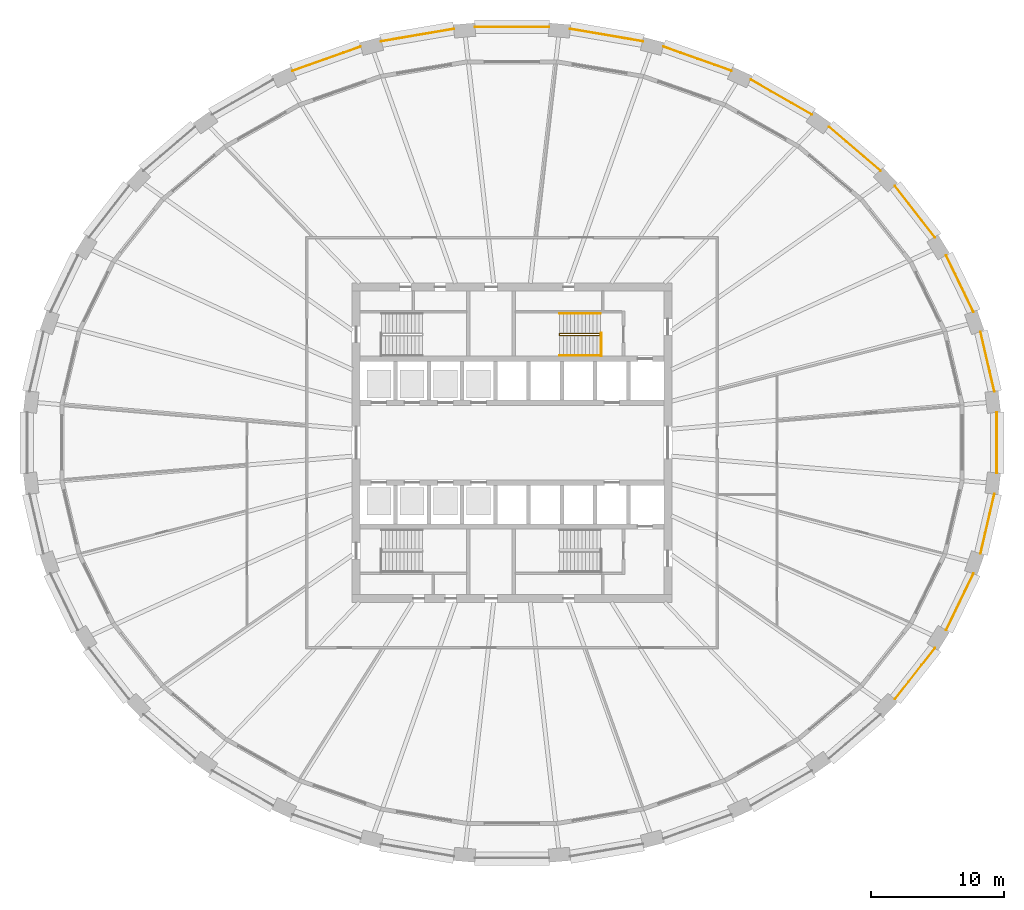
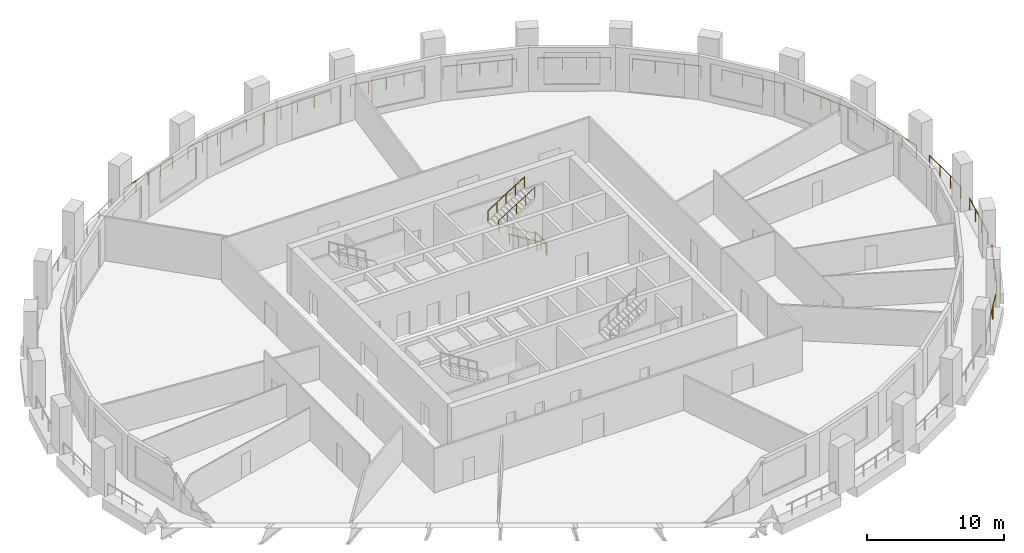
# One storey, part 10 of 11: 18 railings.
"""IFC4 building model written with IfcOpenShell, lengths in metres."""

from ifc_helpers import new_model, si_unit, direction, frame, origin, origin_2d, place, context, subcontext, project, spatial, circle, extrude, material, type_object, element, save


model = new_model("IFC4")

# Units and contexts
model_context = context("Model", 3, precision=1e-05, world=origin(), true_north=direction((0.0, 1.0)))
body_context = subcontext(model_context, "Body", "Model", "MODEL_VIEW")
ifc_project = project(units=[si_unit("LENGTHUNIT", "METRE"), si_unit("AREAUNIT", "SQUARE_METRE"), si_unit("VOLUMEUNIT", "CUBIC_METRE"), si_unit("PLANEANGLEUNIT", "RADIAN"), si_unit("MASSUNIT", "GRAM", prefix="KILO")], contexts=[model_context])

# Site, building, storey
site_placement = place(None, origin())
site = spatial("IfcSite", under=ifc_project, at=site_placement, CompositionType="ELEMENT")
building_placement = place(site_placement, origin())
building = spatial("IfcBuilding", under=site, at=building_placement, Name="Halqa Exchange Tower", CompositionType="ELEMENT")
storey_placement = place(building_placement, frame((0.0, 0.0, 82.300048828125)))
storey = spatial("IfcBuildingStorey", under=building, at=storey_placement, Name="L18", CompositionType="ELEMENT", Elevation=82.300048828125)

# Railings
ifc_material = material(Name="Stainless steel", Category="steel")
railing_type_1 = type_object("IfcRailingType", Name="Guard 1100 stainless steel", PredefinedType="GUARDRAIL", material=ifc_material)
railing_1_placement = place(storey_placement, frame((36.229736328125, 3.85302734375, 0.0)))
element("IfcRailing", 1, at=railing_1_placement, inside=storey, type_object=railing_type_1, Name="Loggia guard 1", PredefinedType="GUARDRAIL", context=body_context, shape_type="SweptSolid", body=[
    extrude(circle(Radius=0.02392578125, at=origin_2d()), frame((0.0, 0.0, 1.076171875), z_axis=(-0.226005331928, 0.974126064706, 0.0), x_axis=(-0.974126064706, -0.226005331928, 0.0)), (0.0, 0.0, 1.0), 4.58984375),
    extrude(circle(Radius=0.02099609375, at=origin_2d()), origin(), (0.0, 0.0, 1.0), 1.052001953125),
    extrude(circle(Radius=0.02099609375, at=origin_2d()), frame((-0.345703125, 1.490478515625, 0.0)), (0.0, 0.0, 1.0), 1.052001953125),
    extrude(circle(Radius=0.02099609375, at=origin_2d()), frame((-0.691650390625, 2.980712890625, 0.0)), (0.0, 0.0, 1.0), 1.052001953125),
    extrude(circle(Radius=0.02099609375, at=origin_2d()), frame((-1.037353515625, 4.47119140625, 0.0)), (0.0, 0.0, 1.0), 1.052001953125),
])
railing_2_placement = place(storey_placement, frame((34.663330078125, 9.82373046875, 0.0)))
element("IfcRailing", 2, at=railing_2_placement, inside=storey, type_object=railing_type_1, Name="Loggia guard 2", PredefinedType="GUARDRAIL", context=body_context, shape_type="SweptSolid", body=[
    extrude(circle(Radius=0.02392578125, at=origin_2d()), frame((0.0, 0.0, 1.076171875), z_axis=(-0.435121720031, 0.900371639245, 0.0), x_axis=(-0.900371639245, -0.435121720031, 0.0)), (0.0, 0.0, 1.0), 4.7080078125),
    extrude(circle(Radius=0.02099609375, at=origin_2d()), origin(), (0.0, 0.0, 1.0), 1.052001953125),
    extrude(circle(Radius=0.02099609375, at=origin_2d()), frame((-0.682861328125, 1.4130859375, 0.0)), (0.0, 0.0, 1.0), 1.052001953125),
    extrude(circle(Radius=0.02099609375, at=origin_2d()), frame((-1.36572265625, 2.825927734375, 0.0)), (0.0, 0.0, 1.0), 1.052001953125),
    extrude(circle(Radius=0.02099609375, at=origin_2d()), frame((-2.048583984375, 4.239013671875, 0.0)), (0.0, 0.0, 1.0), 1.052001953125),
])
railing_3_placement = place(storey_placement, frame((31.77490234375, 15.4140625, 0.0)))
element("IfcRailing", 3, at=railing_3_placement, inside=storey, type_object=railing_type_1, Name="Loggia guard 3", PredefinedType="GUARDRAIL", context=body_context, shape_type="SweptSolid", body=[
    extrude(circle(Radius=0.02392578125, at=origin_2d()), frame((0.0, 0.0, 1.076171875), z_axis=(-0.614843957757, 0.788648785969, 0.0), x_axis=(-0.788648785969, -0.614843957757, 0.0)), (0.0, 0.0, 1.0), 4.88134765625),
    extrude(circle(Radius=0.02099609375, at=origin_2d()), origin(), (0.0, 0.0, 1.0), 1.052001953125),
    extrude(circle(Radius=0.02099609375, at=origin_2d()), frame((-1.00048828125, 1.283203125, 0.0)), (0.0, 0.0, 1.0), 1.052001953125),
    extrude(circle(Radius=0.02099609375, at=origin_2d()), frame((-2.000732421875, 2.56640625, 0.0)), (0.0, 0.0, 1.0), 1.052001953125),
    extrude(circle(Radius=0.02099609375, at=origin_2d()), frame((-3.001220703125, 3.849609375, 0.0)), (0.0, 0.0, 1.0), 1.052001953125),
])
railing_4_placement = place(storey_placement, frame((27.674560546875, 20.415283203125, 0.0)))
element("IfcRailing", 4, at=railing_4_placement, inside=storey, type_object=railing_type_1, Name="Loggia guard 4", PredefinedType="GUARDRAIL", context=body_context, shape_type="SweptSolid", body=[
    extrude(circle(Radius=0.02392578125, at=origin_2d()), frame((0.0, 0.0, 1.076171875), z_axis=(-0.759239638954, 0.65081116358, 0.0), x_axis=(-0.65081116358, -0.759239638954, 0.0)), (0.0, 0.0, 1.0), 5.07958984375),
    extrude(circle(Radius=0.02099609375, at=origin_2d()), origin(), (0.0, 0.0, 1.0), 1.052001953125),
    extrude(circle(Radius=0.02099609375, at=origin_2d()), frame((-1.28564453125, 1.10205078125, 0.0)), (0.0, 0.0, 1.0), 1.052001953125),
    extrude(circle(Radius=0.02099609375, at=origin_2d()), frame((-2.571044921875, 2.203857421875, 0.0)), (0.0, 0.0, 1.0), 1.052001953125),
    extrude(circle(Radius=0.02099609375, at=origin_2d()), frame((-3.856689453125, 3.305908203125, 0.0)), (0.0, 0.0, 1.0), 1.052001953125),
])
railing_5_placement = place(storey_placement, frame((22.51611328125, 24.639404296875, 0.0)))
element("IfcRailing", 5, at=railing_5_placement, inside=storey, type_object=railing_type_1, Name="Loggia guard 5", PredefinedType="GUARDRAIL", context=body_context, shape_type="SweptSolid", body=[
    extrude(circle(Radius=0.02392578125, at=origin_2d()), frame((0.0, 0.0, 1.076171875), z_axis=(-0.867763985316, 0.496976524383, 0.0), x_axis=(-0.496976524383, -0.867763985316, 0.0)), (0.0, 0.0, 1.0), 5.272216796875),
    extrude(circle(Radius=0.02099609375, at=origin_2d()), origin(), (0.0, 0.0, 1.0), 1.052001953125),
    extrude(circle(Radius=0.02099609375, at=origin_2d()), frame((-1.52490234375, 0.873291015625, 0.0)), (0.0, 0.0, 1.0), 1.052001953125),
    extrude(circle(Radius=0.02099609375, at=origin_2d()), frame((-3.050048828125, 1.746826171875, 0.0)), (0.0, 0.0, 1.0), 1.052001953125),
    extrude(circle(Radius=0.02099609375, at=origin_2d()), frame((-4.574951171875, 2.6201171875, 0.0)), (0.0, 0.0, 1.0), 1.052001953125),
])
railing_6_placement = place(storey_placement, frame((16.492919921875, 27.9248046875, 0.0)))
element("IfcRailing", 6, at=railing_6_placement, inside=storey, type_object=railing_type_1, Name="Loggia guard 6", PredefinedType="GUARDRAIL", context=body_context, shape_type="SweptSolid", body=[
    extrude(circle(Radius=0.02392578125, at=origin_2d()), frame((0.0, 0.0, 1.076171875), z_axis=(-0.942359637488, 0.334601723895, 0.0), x_axis=(-0.334601723895, -0.942359637488, 0.0)), (0.0, 0.0, 1.0), 5.431396484375),
    extrude(circle(Radius=0.02099609375, at=origin_2d()), origin(), (0.0, 0.0, 1.0), 1.052001953125),
    extrude(circle(Radius=0.02099609375, at=origin_2d()), frame((-1.279541015625, 0.454345703125, 0.0)), (0.0, 0.0, 1.0), 1.052001953125),
    extrude(circle(Radius=0.02099609375, at=origin_2d()), frame((-2.55908203125, 0.90869140625, 0.0)), (0.0, 0.0, 1.0), 1.052001953125),
    extrude(circle(Radius=0.02099609375, at=origin_2d()), frame((-3.8388671875, 1.363037109375, 0.0)), (0.0, 0.0, 1.0), 1.052001953125),
    extrude(circle(Radius=0.02099609375, at=origin_2d()), frame((-5.118408203125, 1.8173828125, 0.0)), (0.0, 0.0, 1.0), 1.052001953125),
])
railing_7_placement = place(storey_placement, frame((9.83203125, 30.144287109375, 0.0)))
element("IfcRailing", 7, at=railing_7_placement, inside=storey, type_object=railing_type_1, Name="Loggia guard 7", PredefinedType="GUARDRAIL", context=body_context, shape_type="SweptSolid", body=[
    extrude(circle(Radius=0.02392578125, at=origin_2d()), frame((0.0, 0.0, 1.076171875), z_axis=(-0.985775655673, 0.168066524573, 0.0), x_axis=(-0.168066524573, -0.985775655673, 0.0)), (0.0, 0.0, 1.0), 5.5361328125),
    extrude(circle(Radius=0.02099609375, at=origin_2d()), origin(), (0.0, 0.0, 1.0), 1.052001953125),
    extrude(circle(Radius=0.02099609375, at=origin_2d()), frame((-1.3642578125, 0.232666015625, 0.0)), (0.0, 0.0, 1.0), 1.052001953125),
    extrude(circle(Radius=0.02099609375, at=origin_2d()), frame((-2.728515625, 0.46533203125, 0.0)), (0.0, 0.0, 1.0), 1.052001953125),
    extrude(circle(Radius=0.02099609375, at=origin_2d()), frame((-4.093017578125, 0.69775390625, 0.0)), (0.0, 0.0, 1.0), 1.052001953125),
    extrude(circle(Radius=0.02099609375, at=origin_2d()), frame((-5.457275390625, 0.930419921875, 0.0)), (0.0, 0.0, 1.0), 1.052001953125),
])
railing_8_placement = place(storey_placement, frame((2.7861328125, 31.208984375, 0.0)))
element("IfcRailing", 8, at=railing_8_placement, inside=storey, type_object=railing_type_1, Name="Loggia guard 8", PredefinedType="GUARDRAIL", context=body_context, shape_type="SweptSolid", body=[
    extrude(circle(Radius=0.02392578125, at=origin_2d()), frame((0.0, 0.0, 1.076171875), z_axis=(-1.0, 0.0, 0.0), x_axis=(0.0, -1.0, 0.0)), (0.0, 0.0, 1.0), 5.572265625),
    extrude(circle(Radius=0.02099609375, at=origin_2d()), origin(), (0.0, 0.0, 1.0), 1.052001953125),
    extrude(circle(Radius=0.02099609375, at=origin_2d()), frame((-1.39306640625, 0.0, 0.0)), (0.0, 0.0, 1.0), 1.052001953125),
    extrude(circle(Radius=0.02099609375, at=origin_2d()), frame((-2.7861328125, 0.0, 0.0)), (0.0, 0.0, 1.0), 1.052001953125),
    extrude(circle(Radius=0.02099609375, at=origin_2d()), frame((-4.17919921875, 0.0, 0.0)), (0.0, 0.0, 1.0), 1.052001953125),
    extrude(circle(Radius=0.02099609375, at=origin_2d()), frame((-5.572265625, 0.0, 0.0)), (0.0, 0.0, 1.0), 1.052001953125),
])
railing_9_placement = place(storey_placement, frame((-4.374755859375, 31.07470703125, 0.0)))
element("IfcRailing", 9, at=railing_9_placement, inside=storey, type_object=railing_type_1, Name="Loggia guard 9", PredefinedType="GUARDRAIL", context=body_context, shape_type="SweptSolid", body=[
    extrude(circle(Radius=0.02392578125, at=origin_2d()), frame((0.0, 0.0, 1.076171875), z_axis=(-0.985775655673, -0.168066524573, 0.0), x_axis=(0.168066524573, -0.985775655673, 0.0)), (0.0, 0.0, 1.0), 5.5361328125),
    extrude(circle(Radius=0.02099609375, at=origin_2d()), origin(), (0.0, 0.0, 1.0), 1.052001953125),
    extrude(circle(Radius=0.02099609375, at=origin_2d()), frame((-1.3642578125, -0.232666015625, 0.0)), (0.0, 0.0, 1.0), 1.052001953125),
    extrude(circle(Radius=0.02099609375, at=origin_2d()), frame((-2.728515625, -0.46533203125, 0.0)), (0.0, 0.0, 1.0), 1.052001953125),
    extrude(circle(Radius=0.02099609375, at=origin_2d()), frame((-4.093017578125, -0.69775390625, 0.0)), (0.0, 0.0, 1.0), 1.052001953125),
    extrude(circle(Radius=0.02099609375, at=origin_2d()), frame((-5.457275390625, -0.930419921875, 0.0)), (0.0, 0.0, 1.0), 1.052001953125),
])
railing_10_placement = place(storey_placement, frame((-11.37451171875, 29.7421875, 0.0)))
element("IfcRailing", 10, at=railing_10_placement, inside=storey, type_object=railing_type_1, Name="Loggia guard 10", PredefinedType="GUARDRAIL", context=body_context, shape_type="SweptSolid", body=[
    extrude(circle(Radius=0.02392578125, at=origin_2d()), frame((0.0, 0.0, 1.076171875), z_axis=(-0.942359637488, -0.334601723895, 0.0), x_axis=(0.334601723895, -0.942359637488, 0.0)), (0.0, 0.0, 1.0), 5.431396484375),
    extrude(circle(Radius=0.02099609375, at=origin_2d()), origin(), (0.0, 0.0, 1.0), 1.052001953125),
    extrude(circle(Radius=0.02099609375, at=origin_2d()), frame((-1.279541015625, -0.454345703125, 0.0)), (0.0, 0.0, 1.0), 1.052001953125),
    extrude(circle(Radius=0.02099609375, at=origin_2d()), frame((-2.55908203125, -0.90869140625, 0.0)), (0.0, 0.0, 1.0), 1.052001953125),
    extrude(circle(Radius=0.02099609375, at=origin_2d()), frame((-3.8388671875, -1.363037109375, 0.0)), (0.0, 0.0, 1.0), 1.052001953125),
    extrude(circle(Radius=0.02099609375, at=origin_2d()), frame((-5.118408203125, -1.8173828125, 0.0)), (0.0, 0.0, 1.0), 1.052001953125),
])
railing_11_placement = place(storey_placement, frame((28.773681640625, -19.263671875, 0.0)))
element("IfcRailing", 11, at=railing_11_placement, inside=storey, type_object=railing_type_1, Name="Loggia guard 29", PredefinedType="GUARDRAIL", context=body_context, shape_type="SweptSolid", body=[
    extrude(circle(Radius=0.02392578125, at=origin_2d()), frame((0.0, 0.0, 1.076171875), z_axis=(0.614843957757, 0.788648785969, 0.0), x_axis=(-0.788648785969, 0.614843957757, 0.0)), (0.0, 0.0, 1.0), 4.88134765625),
    extrude(circle(Radius=0.02099609375, at=origin_2d()), origin(), (0.0, 0.0, 1.0), 1.052001953125),
    extrude(circle(Radius=0.02099609375, at=origin_2d()), frame((1.00048828125, 1.283203125, 0.0)), (0.0, 0.0, 1.0), 1.052001953125),
    extrude(circle(Radius=0.02099609375, at=origin_2d()), frame((2.000732421875, 2.56640625, 0.0)), (0.0, 0.0, 1.0), 1.052001953125),
    extrude(circle(Radius=0.02099609375, at=origin_2d()), frame((3.001220703125, 3.849609375, 0.0)), (0.0, 0.0, 1.0), 1.052001953125),
])
railing_12_placement = place(storey_placement, frame((32.61474609375, -14.062744140625, 0.0)))
element("IfcRailing", 12, at=railing_12_placement, inside=storey, type_object=railing_type_1, Name="Loggia guard 30", PredefinedType="GUARDRAIL", context=body_context, shape_type="SweptSolid", body=[
    extrude(circle(Radius=0.02392578125, at=origin_2d()), frame((0.0, 0.0, 1.076171875), z_axis=(0.435121720031, 0.900371639245, 0.0), x_axis=(-0.900371639245, 0.435121720031, 0.0)), (0.0, 0.0, 1.0), 4.7080078125),
    extrude(circle(Radius=0.02099609375, at=origin_2d()), origin(), (0.0, 0.0, 1.0), 1.052001953125),
    extrude(circle(Radius=0.02099609375, at=origin_2d()), frame((0.682861328125, 1.4130859375, 0.0)), (0.0, 0.0, 1.0), 1.052001953125),
    extrude(circle(Radius=0.02099609375, at=origin_2d()), frame((1.36572265625, 2.825927734375, 0.0)), (0.0, 0.0, 1.0), 1.052001953125),
    extrude(circle(Radius=0.02099609375, at=origin_2d()), frame((2.048583984375, 4.239013671875, 0.0)), (0.0, 0.0, 1.0), 1.052001953125),
])
railing_13_placement = place(storey_placement, frame((35.1923828125, -8.32421875, 0.0)))
element("IfcRailing", 13, at=railing_13_placement, inside=storey, type_object=railing_type_1, Name="Loggia guard 31", PredefinedType="GUARDRAIL", context=body_context, shape_type="SweptSolid", body=[
    extrude(circle(Radius=0.02392578125, at=origin_2d()), frame((0.0, 0.0, 1.076171875), z_axis=(0.226005331928, 0.974126064706, 0.0), x_axis=(-0.974126064706, 0.226005331928, 0.0)), (0.0, 0.0, 1.0), 4.58984375),
    extrude(circle(Radius=0.02099609375, at=origin_2d()), origin(), (0.0, 0.0, 1.0), 1.052001953125),
    extrude(circle(Radius=0.02099609375, at=origin_2d()), frame((0.345703125, 1.490478515625, 0.0)), (0.0, 0.0, 1.0), 1.052001953125),
    extrude(circle(Radius=0.02099609375, at=origin_2d()), frame((0.691650390625, 2.980712890625, 0.0)), (0.0, 0.0, 1.0), 1.052001953125),
    extrude(circle(Radius=0.02099609375, at=origin_2d()), frame((1.037353515625, 4.47119140625, 0.0)), (0.0, 0.0, 1.0), 1.052001953125),
])
railing_14_placement = place(storey_placement, frame((36.41064453125, -2.273681640625, 0.0)))
element("IfcRailing", 14, at=railing_14_placement, inside=storey, type_object=railing_type_1, Name="Loggia guard 32", PredefinedType="GUARDRAIL", context=body_context, shape_type="SweptSolid", body=[
    extrude(circle(Radius=0.02392578125, at=origin_2d()), frame((0.0, 0.0, 1.076171875), z_axis=(0.0, 1.0, 0.0), x_axis=(-1.0, 0.0, 0.0)), (0.0, 0.0, 1.0), 4.54736328125),
    extrude(circle(Radius=0.02099609375, at=origin_2d()), origin(), (0.0, 0.0, 1.0), 1.052001953125),
    extrude(circle(Radius=0.02099609375, at=origin_2d()), frame((0.0, 1.515869140625, 0.0)), (0.0, 0.0, 1.0), 1.052001953125),
    extrude(circle(Radius=0.02099609375, at=origin_2d()), frame((0.0, 3.031494140625, 0.0)), (0.0, 0.0, 1.0), 1.052001953125),
    extrude(circle(Radius=0.02099609375, at=origin_2d()), frame((0.0, 4.54736328125, 0.0)), (0.0, 0.0, 1.0), 1.052001953125),
])
railing_type_2 = type_object("IfcRailingType", Name="Stair handrail 900", PredefinedType="HANDRAIL", material=ifc_material)
railing_15_placement = place(storey_placement, frame((6.64990234375, 8.06005859375, 0.175048828125)))
element("IfcRailing", 15, at=railing_15_placement, inside=storey, type_object=railing_type_2, Name="Handrail ST2.1", PredefinedType="HANDRAIL", context=body_context, shape_type="SweptSolid", body=[
    extrude(circle(Radius=0.02392578125, at=origin_2d()), frame((0.0, 0.0, 0.8759765625), z_axis=(-0.848009633417, 0.0, 0.529980812513), x_axis=(0.0, -1.0, 0.0)), (0.0, 0.0, 1.0), 3.6318359375),
    extrude(circle(Radius=0.02392578125, at=origin_2d()), frame((-3.079833984375, 0.0, 2.80078125), z_axis=(0.0, 0.595870227118, 0.803080738428), x_axis=(-1.0, 0.0, 0.0)), (0.0, 0.0, 1.0), 0.218017578125),
    extrude(circle(Radius=0.02392578125, at=origin_2d()), frame((-3.079833984375, 0.1298828125, 2.9755859375), z_axis=(0.847979421464, 0.0, 0.530029150871), x_axis=(0.0, 1.0, 0.0)), (0.0, 0.0, 1.0), 3.632080078125),
    extrude(circle(Radius=0.02099609375, at=origin_2d()), origin(), (0.0, 0.0, 1.0), 0.851806640625),
    extrude(circle(Radius=0.02099609375, at=origin_2d()), frame((-0.77001953125, 0.0, 0.481201171875)), (0.0, 0.0, 1.0), 0.851806640625),
    extrude(circle(Radius=0.02099609375, at=origin_2d()), frame((-1.5400390625, 0.0, 0.96240234375)), (0.0, 0.0, 1.0), 0.851806640625),
    extrude(circle(Radius=0.02099609375, at=origin_2d()), frame((-2.309814453125, 0.0, 1.443603515625)), (0.0, 0.0, 1.0), 0.851806640625),
    extrude(circle(Radius=0.02099609375, at=origin_2d()), frame((-3.079833984375, 0.0, 1.9248046875)), (0.0, 0.0, 1.0), 0.851806640625),
    extrude(circle(Radius=0.02099609375, at=origin_2d()), frame((-3.079833984375, 0.1298828125, 2.099853515625)), (0.0, 0.0, 1.0), 0.851806640625),
    extrude(circle(Radius=0.02099609375, at=origin_2d()), frame((-2.309814453125, 0.1298828125, 2.5810546875)), (0.0, 0.0, 1.0), 0.851806640625),
    extrude(circle(Radius=0.02099609375, at=origin_2d()), frame((-1.5400390625, 0.1298828125, 3.0625)), (0.0, 0.0, 1.0), 0.851806640625),
    extrude(circle(Radius=0.02099609375, at=origin_2d()), frame((-0.77001953125, 0.1298828125, 3.543701171875)), (0.0, 0.0, 1.0), 0.851806640625),
    extrude(circle(Radius=0.02099609375, at=origin_2d()), frame((0.0, 0.1298828125, 4.02490234375)), (0.0, 0.0, 1.0), 0.851806640625),
])
railing_16_placement = place(storey_placement, frame((6.64990234375, 6.550048828125, 0.175048828125)))
element("IfcRailing", 16, at=railing_16_placement, inside=storey, type_object=railing_type_2, Name="Handrail ST2.2", PredefinedType="HANDRAIL", context=body_context, shape_type="SweptSolid", body=[
    extrude(circle(Radius=0.02392578125, at=origin_2d()), frame((0.0, 0.0, 0.8759765625), z_axis=(-0.848009633417, 0.0, 0.529980812513), x_axis=(0.0, -1.0, 0.0)), (0.0, 0.0, 1.0), 3.6318359375),
    extrude(circle(Radius=0.02099609375, at=origin_2d()), origin(), (0.0, 0.0, 1.0), 0.851806640625),
    extrude(circle(Radius=0.02099609375, at=origin_2d()), frame((-0.77001953125, 0.0, 0.481201171875)), (0.0, 0.0, 1.0), 0.851806640625),
    extrude(circle(Radius=0.02099609375, at=origin_2d()), frame((-1.5400390625, 0.0, 0.96240234375)), (0.0, 0.0, 1.0), 0.851806640625),
    extrude(circle(Radius=0.02099609375, at=origin_2d()), frame((-2.309814453125, 0.0, 1.443603515625)), (0.0, 0.0, 1.0), 0.851806640625),
    extrude(circle(Radius=0.02099609375, at=origin_2d()), frame((-3.079833984375, 0.0, 1.9248046875)), (0.0, 0.0, 1.0), 0.851806640625),
])
railing_17_placement = place(storey_placement, frame((3.570068359375, 9.699951171875, 2.27490234375)))
element("IfcRailing", 17, at=railing_17_placement, inside=storey, type_object=railing_type_2, Name="Handrail ST2.3", PredefinedType="HANDRAIL", context=body_context, shape_type="SweptSolid", body=[
    extrude(circle(Radius=0.02392578125, at=origin_2d()), frame((0.0, 0.0, 0.8759765625), z_axis=(0.847979421464, 0.0, 0.530029150871), x_axis=(0.0, 1.0, 0.0)), (0.0, 0.0, 1.0), 3.632080078125),
    extrude(circle(Radius=0.02099609375, at=origin_2d()), origin(), (0.0, 0.0, 1.0), 0.851806640625),
    extrude(circle(Radius=0.02099609375, at=origin_2d()), frame((0.77001953125, 0.0, 0.481201171875)), (0.0, 0.0, 1.0), 0.851806640625),
    extrude(circle(Radius=0.02099609375, at=origin_2d()), frame((1.5400390625, 0.0, 0.96240234375)), (0.0, 0.0, 1.0), 0.851806640625),
    extrude(circle(Radius=0.02099609375, at=origin_2d()), frame((2.309814453125, 0.0, 1.44384765625)), (0.0, 0.0, 1.0), 0.851806640625),
    extrude(circle(Radius=0.02099609375, at=origin_2d()), frame((3.079833984375, 0.0, 1.925048828125)), (0.0, 0.0, 1.0), 0.851806640625),
])
railing_type_3 = type_object("IfcRailingType", Name="Stair well guard 1100", PredefinedType="GUARDRAIL", material=ifc_material)
railing_18_placement = place(storey_placement, frame((6.699951171875, 6.5, 0.0)))
element("IfcRailing", 18, at=railing_18_placement, inside=storey, type_object=railing_type_3, Name="Guard ST2 well", PredefinedType="GUARDRAIL", context=body_context, shape_type="SweptSolid", body=[
    extrude(circle(Radius=0.02392578125, at=origin_2d()), frame((0.0, 0.0, 1.076171875), z_axis=(0.0, 1.0, 0.0), x_axis=(-1.0, 0.0, 0.0)), (0.0, 0.0, 1.0), 1.75),
    extrude(circle(Radius=0.02099609375, at=origin_2d()), origin(), (0.0, 0.0, 1.0), 1.052001953125),
    extrude(circle(Radius=0.02099609375, at=origin_2d()), frame((0.0, 0.875, 0.0)), (0.0, 0.0, 1.0), 1.052001953125),
    extrude(circle(Radius=0.02099609375, at=origin_2d()), frame((0.0, 1.75, 0.0)), (0.0, 0.0, 1.0), 1.052001953125),
])

save(model, "model.ifc")
